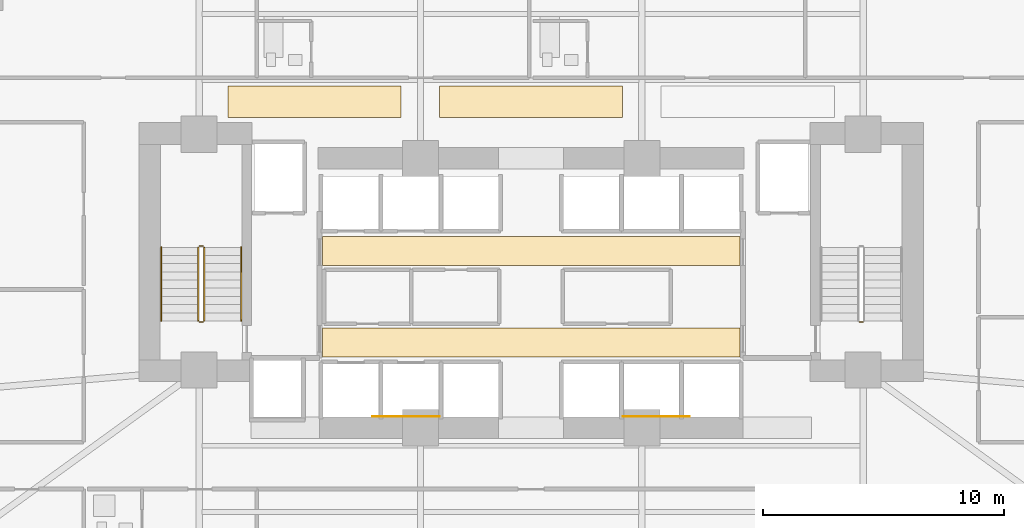
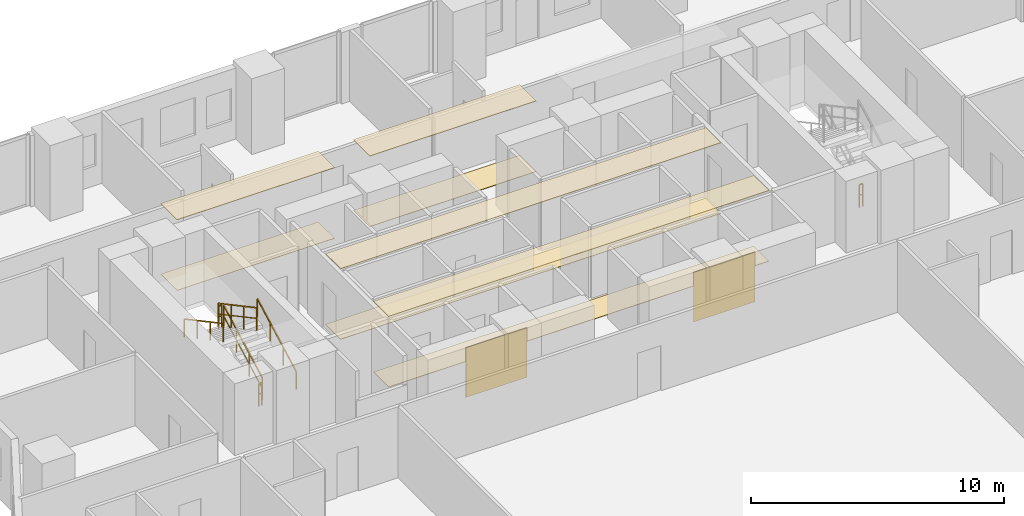
# One storey, part 25 of 28: 10 coverings, 7 railings.
"""IFC4 building model written with IfcOpenShell, lengths in metres."""

from ifc_helpers import new_model, si_unit, direction, frame, origin, origin_2d, place, context, subcontext, project, spatial, polyline, rectangle, outline, extrude, material, layer, layer_set, type_object, element, save


model = new_model("IFC4")

# Units and contexts
model_context = context("Model", 3, precision=1e-05, world=origin(), true_north=direction((0.0, 1.0)))
body_context = subcontext(model_context, "Body", "Model", "MODEL_VIEW")
ifc_project = project(units=[si_unit("LENGTHUNIT", "METRE"), si_unit("AREAUNIT", "SQUARE_METRE"), si_unit("VOLUMEUNIT", "CUBIC_METRE"), si_unit("PLANEANGLEUNIT", "RADIAN"), si_unit("MASSUNIT", "GRAM", prefix="KILO")], contexts=[model_context])

# Site, building, storey
site_placement = place(None, origin())
site = spatial("IfcSite", under=ifc_project, at=site_placement, CompositionType="ELEMENT")
building_placement = place(site_placement, origin())
building = spatial("IfcBuilding", under=site, at=building_placement, Name="Zuhayl Quay Hotel", CompositionType="ELEMENT")
storey_placement = place(building_placement, frame((0.0, 0.0, 78.699951171875)))
storey = spatial("IfcBuildingStorey", under=building, at=storey_placement, Name="L19", CompositionType="ELEMENT", Elevation=78.699951171875)

# Coverings
ifc_material_1 = material(Name="Acoustic Mineral-Fibre Gypsum Board")
ifc_layer_1 = layer(ifc_material_1, 0.02490234375, Name="Acoustic Mineral-Fibre Gypsum Board")
ifc_layer_set_1 = layer_set([ifc_layer_1], Name="Acoustic Mineral-Fibre Gypsum Board")
covering_type_1 = type_object("IfcCoveringType", Name="CV_CEIL_ACOUSTIC", PredefinedType="CEILING", material=ifc_layer_set_1)
covering_1_placement = place(storey_placement, frame((0.0, 0.0, 3.405029296875)))
element("IfcCovering", 1, at=covering_1_placement, inside=storey, type_object=covering_type_1, Name="L19 Suspended Acoustic Lobby Ceiling S", PredefinedType="CEILING", context=body_context, shape_type="SweptSolid", body=[
    extrude(outline(polyline([(-8.679931640625, 5.10009765625), (8.679931640625, 5.10009765625), (8.679931640625, 6.300048828125), (-8.679931640625, 6.300048828125), (-8.679931640625, 5.10009765625)])), origin(), (0.0, 0.0, 1.0), 0.02490234375),
])
covering_2_placement = place(storey_placement, frame((0.0, 0.0, 3.405029296875)))
element("IfcCovering", 2, at=covering_2_placement, inside=storey, type_object=covering_type_1, Name="L19 Suspended Acoustic Lobby Ceiling N", PredefinedType="CEILING", context=body_context, shape_type="SweptSolid", body=[
    extrude(outline(polyline([(-8.679931640625, 8.89990234375), (8.679931640625, 8.89990234375), (8.679931640625, 10.10009765625), (-8.679931640625, 10.10009765625), (-8.679931640625, 8.89990234375)])), origin(), (0.0, 0.0, 1.0), 0.02490234375),
])
covering_3_placement = place(storey_placement, frame((0.0, 0.0, 3.405029296875)))
element("IfcCovering", 3, at=covering_3_placement, inside=storey, type_object=covering_type_1, Name="L19 Guest Corridor Acoustic Ceiling CW", PredefinedType="CEILING", context=body_context, shape_type="SweptSolid", body=[
    extrude(outline(polyline([(-12.60009765625, 15.050048828125), (-5.39990234375, 15.050048828125), (-5.39990234375, 16.35009765625), (-12.60009765625, 16.35009765625), (-12.60009765625, 15.050048828125)])), origin(), (0.0, 0.0, 1.0), 0.02490234375),
])
covering_4_placement = place(storey_placement, frame((0.0, 0.0, 3.405029296875)))
element("IfcCovering", 4, at=covering_4_placement, inside=storey, type_object=covering_type_1, Name="L19 Guest Corridor Acoustic Ceiling CC", PredefinedType="CEILING", context=body_context, shape_type="SweptSolid", body=[
    extrude(outline(polyline([(-3.800048828125, 15.050048828125), (3.800048828125, 15.050048828125), (3.800048828125, 16.35009765625), (-3.800048828125, 16.35009765625), (-3.800048828125, 15.050048828125)])), origin(), (0.0, 0.0, 1.0), 0.02490234375),
])
ifc_material_2 = material(Name="Polished Limestone Terrazzo", Category="masonry")
ifc_layer_2 = layer(ifc_material_2, 0.02001953125, Name="Polished Limestone Terrazzo", Category="masonry")
ifc_layer_set_2 = layer_set([ifc_layer_2], Name="Polished Limestone Terrazzo")
covering_type_2 = type_object("IfcCoveringType", Name="CV_FLOOR_TERRAZZO", PredefinedType="FLOORING", material=ifc_layer_set_2)
covering_5_placement = place(storey_placement, origin())
element("IfcCovering", 5, at=covering_5_placement, inside=storey, type_object=covering_type_2, Name="L19 Honed Limestone Terrazzo Lobby Flooring S", PredefinedType="FLOORING", context=body_context, shape_type="SweptSolid", body=[
    extrude(outline(polyline([(-8.679931640625, 5.10009765625), (8.679931640625, 5.10009765625), (8.679931640625, 6.300048828125), (-8.679931640625, 6.300048828125), (-8.679931640625, 5.10009765625)])), origin(), (0.0, 0.0, 1.0), 0.02001953125),
])
covering_6_placement = place(storey_placement, origin())
element("IfcCovering", 6, at=covering_6_placement, inside=storey, type_object=covering_type_2, Name="L19 Honed Limestone Terrazzo Lobby Flooring N", PredefinedType="FLOORING", context=body_context, shape_type="SweptSolid", body=[
    extrude(outline(polyline([(-8.679931640625, 8.89990234375), (8.679931640625, 8.89990234375), (8.679931640625, 10.10009765625), (-8.679931640625, 10.10009765625), (-8.679931640625, 8.89990234375)])), origin(), (0.0, 0.0, 1.0), 0.02001953125),
])
covering_7_placement = place(storey_placement, origin())
element("IfcCovering", 7, at=covering_7_placement, inside=storey, type_object=covering_type_2, Name="L19 Guest Corridor Terrazzo Runner CW", PredefinedType="FLOORING", context=body_context, shape_type="SweptSolid", body=[
    extrude(outline(polyline([(-12.60009765625, 15.050048828125), (-5.39990234375, 15.050048828125), (-5.39990234375, 16.35009765625), (-12.60009765625, 16.35009765625), (-12.60009765625, 15.050048828125)])), origin(), (0.0, 0.0, 1.0), 0.02001953125),
])
covering_8_placement = place(storey_placement, origin())
element("IfcCovering", 8, at=covering_8_placement, inside=storey, type_object=covering_type_2, Name="L19 Guest Corridor Terrazzo Runner CC", PredefinedType="FLOORING", context=body_context, shape_type="SweptSolid", body=[
    extrude(outline(polyline([(-3.800048828125, 15.050048828125), (3.800048828125, 15.050048828125), (3.800048828125, 16.35009765625), (-3.800048828125, 16.35009765625), (-3.800048828125, 15.050048828125)])), origin(), (0.0, 0.0, 1.0), 0.02001953125),
])
ifc_material_3 = material(Name="Acoustic Walnut Feature Timber", Category="wood")
ifc_layer_3 = layer(ifc_material_3, 0.02197265625, Name="Acoustic Walnut Feature Timber", Category="wood")
ifc_layer_set_3 = layer_set([ifc_layer_3], Name="Acoustic Walnut Feature Timber")
covering_type_3 = type_object("IfcCoveringType", Name="CV_WALL_CLAD", PredefinedType="CLADDING", material=ifc_layer_set_3)
for number, where, z_axis, x_axis, name in (
    (9, (-5.199951171875, 2.611083984375, 0.300048828125), (0.0, 0.0, 1.0), (1.0, 0.0, 0.0), "L19 Feature Lobby Walnut Wall Cladding W"),
    (10, (5.199951171875, 2.611083984375, 0.300048828125), (0.0, 0.0, 1.0), (1.0, 0.0, 0.0), "L19 Feature Lobby Walnut Wall Cladding E"),
):
    element("IfcCovering", number, at=place(storey_placement, frame(where, z_axis=z_axis, x_axis=x_axis)), inside=storey, type_object=covering_type_3, Name=name, PredefinedType="CLADDING", context=body_context, shape_type="SweptSolid", body=[
        extrude(rectangle(XDim=2.800048828125, YDim=0.02197265625, at=origin_2d()), origin(), (0.0, 0.0, 1.0), 2.39990234375),
    ])

# Railings
ifc_material_4 = material(Name="Steel ASTM A992 Grade 50", Category="steel")
railing_type_1 = type_object("IfcRailingType", Name="RL_GUARD_1100", PredefinedType="GUARDRAIL", material=ifc_material_4)
railing_1_placement = place(storey_placement, frame((-13.590087890625, 6.590087890625, 0.1826171875)))
element("IfcRailing", 11, at=railing_1_placement, inside=storey, type_object=railing_type_1, Name="L19 ST1 stair guard 1", PredefinedType="GUARDRAIL", context=body_context, shape_type="SweptSolid", body=[
    extrude(rectangle(XDim=0.048095703125, YDim=0.048095703125, at=origin_2d()), frame((0.0, 0.0, 1.09619140625), z_axis=(0.0, 0.881102395774, 0.472925541879), x_axis=(-1.0, 0.0, 0.0)), (0.0, 0.0, 1.0), 3.47265625),
    extrude(rectangle(XDim=0.0361328125, YDim=0.0361328125, at=origin_2d()), frame((0.0, 0.0, 0.58251953125), z_axis=(0.0, 0.881102395774, 0.472925541879), x_axis=(-1.0, 0.0, 0.0)), (0.0, 0.0, 1.0), 3.47265625),
    extrude(rectangle(XDim=0.0419921875, YDim=0.0419921875, at=origin_2d()), origin(), (0.0, 0.0, 1.0), 1.072021484375),
    extrude(rectangle(XDim=0.0419921875, YDim=0.0419921875, at=origin_2d()), frame((0.0, 1.02001953125, 0.54736328125)), (0.0, 0.0, 1.0), 1.072021484375),
    extrude(rectangle(XDim=0.0419921875, YDim=0.0419921875, at=origin_2d()), frame((0.0, 2.039794921875, 1.094970703125)), (0.0, 0.0, 1.0), 1.072021484375),
    extrude(rectangle(XDim=0.0419921875, YDim=0.0419921875, at=origin_2d()), frame((0.0, 3.059814453125, 1.642333984375)), (0.0, 0.0, 1.0), 1.072021484375),
])
railing_2_placement = place(storey_placement, frame((-13.639892578125, 9.699951171875, 1.824951171875)))
element("IfcRailing", 12, at=railing_2_placement, inside=storey, type_object=railing_type_1, Name="L19 ST1 stair guard 2", PredefinedType="GUARDRAIL", context=body_context, shape_type="SweptSolid", body=[
    extrude(rectangle(XDim=0.048095703125, YDim=0.048095703125, at=origin_2d()), frame((0.0, 0.0, 1.09619140625), z_axis=(-1.0, 0.0, 0.0), x_axis=(0.0, -1.0, 0.0)), (0.0, 0.0, 1.0), 0.150146484375),
    extrude(rectangle(XDim=0.0361328125, YDim=0.0361328125, at=origin_2d()), frame((0.0, 0.0, 0.58251953125), z_axis=(-1.0, 0.0, 0.0), x_axis=(0.0, -1.0, 0.0)), (0.0, 0.0, 1.0), 0.150146484375),
    extrude(rectangle(XDim=0.0419921875, YDim=0.0419921875, at=origin_2d()), origin(), (0.0, 0.0, 1.0), 1.072021484375),
    extrude(rectangle(XDim=0.0419921875, YDim=0.0419921875, at=origin_2d()), frame((-0.150146484375, 0.0, 0.0)), (0.0, 0.0, 1.0), 1.072021484375),
])
railing_3_placement = place(storey_placement, frame((-13.840087890625, 9.64990234375, 2.007568359375)))
element("IfcRailing", 13, at=railing_3_placement, inside=storey, type_object=railing_type_1, Name="L19 ST1 stair guard 3", PredefinedType="GUARDRAIL", context=body_context, shape_type="SweptSolid", body=[
    extrude(rectangle(XDim=0.048095703125, YDim=0.048095703125, at=origin_2d()), frame((0.0, 0.0, 1.09619140625), z_axis=(0.0, -0.88107310026, 0.472980117973), x_axis=(1.0, 0.0, 0.0)), (0.0, 0.0, 1.0), 3.472900390625),
    extrude(rectangle(XDim=0.0361328125, YDim=0.0361328125, at=origin_2d()), frame((0.0, 0.0, 0.58251953125), z_axis=(0.0, -0.88107310026, 0.472980117973), x_axis=(1.0, 0.0, 0.0)), (0.0, 0.0, 1.0), 3.472900390625),
    extrude(rectangle(XDim=0.0419921875, YDim=0.0419921875, at=origin_2d()), origin(), (0.0, 0.0, 1.0), 1.072021484375),
    extrude(rectangle(XDim=0.0419921875, YDim=0.0419921875, at=origin_2d()), frame((0.0, -1.02001953125, 0.547607421875)), (0.0, 0.0, 1.0), 1.072021484375),
    extrude(rectangle(XDim=0.0419921875, YDim=0.0419921875, at=origin_2d()), frame((0.0, -2.039794921875, 1.094970703125)), (0.0, 0.0, 1.0), 1.072021484375),
    extrude(rectangle(XDim=0.0419921875, YDim=0.0419921875, at=origin_2d()), frame((0.0, -3.059814453125, 1.642578125)), (0.0, 0.0, 1.0), 1.072021484375),
])
for number, where, name in (
    (14, (-13.639892578125, 6.5400390625, 0.0), "L19 ST1 stair guard 4"),
    (15, (13.7900390625, 6.5400390625, 0.0), "L19 ST2 stair guard 4"),
):
    element("IfcRailing", number, at=place(storey_placement, frame(where)), inside=storey, type_object=railing_type_1, Name=name, PredefinedType="GUARDRAIL", context=body_context, shape_type="SweptSolid", body=[
        extrude(rectangle(XDim=0.048095703125, YDim=0.048095703125, at=origin_2d()), frame((0.0, 0.0, 1.09619140625), z_axis=(-1.0, 0.0, 0.0), x_axis=(0.0, -1.0, 0.0)), (0.0, 0.0, 1.0), 0.150146484375),
        extrude(rectangle(XDim=0.0361328125, YDim=0.0361328125, at=origin_2d()), frame((0.0, 0.0, 0.58251953125), z_axis=(-1.0, 0.0, 0.0), x_axis=(0.0, -1.0, 0.0)), (0.0, 0.0, 1.0), 0.150146484375),
        extrude(rectangle(XDim=0.0419921875, YDim=0.0419921875, at=origin_2d()), origin(), (0.0, 0.0, 1.0), 1.072021484375),
        extrude(rectangle(XDim=0.0419921875, YDim=0.0419921875, at=origin_2d()), frame((-0.150146484375, 0.0, 0.0)), (0.0, 0.0, 1.0), 1.072021484375),
    ])
railing_type_2 = type_object("IfcRailingType", Name="RL_HANDRAIL_920", PredefinedType="HANDRAIL", material=ifc_material_4)
railing_4_placement = place(storey_placement, frame((-12.050048828125, 6.590087890625, 0.1826171875)))
element("IfcRailing", 16, at=railing_4_placement, inside=storey, type_object=railing_type_2, Name="L19 ST1 stair handrail 1", PredefinedType="HANDRAIL", context=body_context, shape_type="SweptSolid", body=[
    extrude(rectangle(XDim=0.048095703125, YDim=0.048095703125, at=origin_2d()), frame((0.0, 0.0, 0.8759765625), z_axis=(0.0, 0.881102395774, 0.472925541879), x_axis=(-1.0, 0.0, 0.0)), (0.0, 0.0, 1.0), 3.47265625),
    extrude(rectangle(XDim=0.0419921875, YDim=0.0419921875, at=origin_2d()), origin(), (0.0, 0.0, 1.0), 0.851806640625),
    extrude(rectangle(XDim=0.0419921875, YDim=0.0419921875, at=origin_2d()), frame((0.0, 1.02001953125, 0.54736328125)), (0.0, 0.0, 1.0), 0.851806640625),
    extrude(rectangle(XDim=0.0419921875, YDim=0.0419921875, at=origin_2d()), frame((0.0, 2.039794921875, 1.094970703125)), (0.0, 0.0, 1.0), 0.851806640625),
    extrude(rectangle(XDim=0.0419921875, YDim=0.0419921875, at=origin_2d()), frame((0.0, 3.059814453125, 1.642333984375)), (0.0, 0.0, 1.0), 0.851806640625),
])
railing_5_placement = place(storey_placement, frame((-15.3798828125, 9.64990234375, 2.007568359375)))
element("IfcRailing", 17, at=railing_5_placement, inside=storey, type_object=railing_type_2, Name="L19 ST1 stair handrail 2", PredefinedType="HANDRAIL", context=body_context, shape_type="SweptSolid", body=[
    extrude(rectangle(XDim=0.048095703125, YDim=0.048095703125, at=origin_2d()), frame((0.0, 0.0, 0.8759765625), z_axis=(0.0, -0.88107310026, 0.472980117973), x_axis=(1.0, 0.0, 0.0)), (0.0, 0.0, 1.0), 3.472900390625),
    extrude(rectangle(XDim=0.0419921875, YDim=0.0419921875, at=origin_2d()), origin(), (0.0, 0.0, 1.0), 0.851806640625),
    extrude(rectangle(XDim=0.0419921875, YDim=0.0419921875, at=origin_2d()), frame((0.0, -1.02001953125, 0.547607421875)), (0.0, 0.0, 1.0), 0.851806640625),
    extrude(rectangle(XDim=0.0419921875, YDim=0.0419921875, at=origin_2d()), frame((0.0, -2.039794921875, 1.094970703125)), (0.0, 0.0, 1.0), 0.851806640625),
    extrude(rectangle(XDim=0.0419921875, YDim=0.0419921875, at=origin_2d()), frame((0.0, -3.059814453125, 1.642578125)), (0.0, 0.0, 1.0), 0.851806640625),
])

save(model, "model.ifc")
